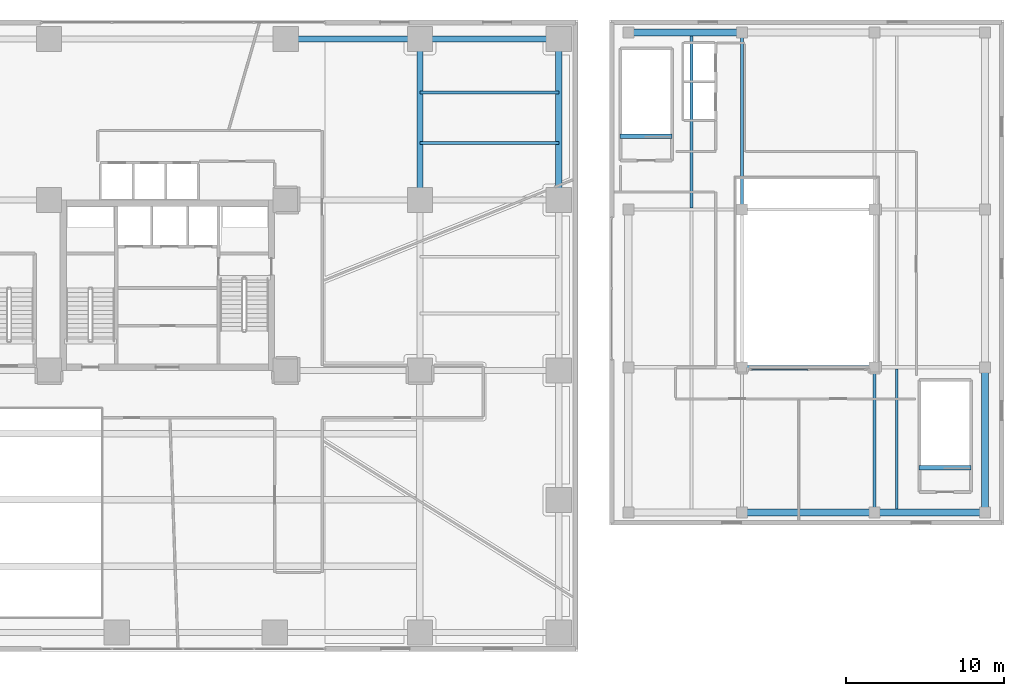
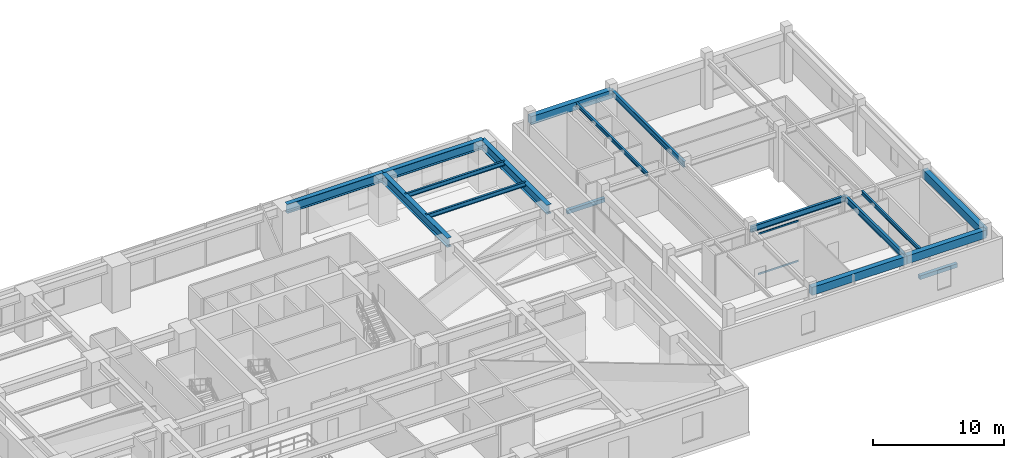
# One storey, part 14 of 25: 17 beams, 2 members, 1 element without a shape of its own.
"""IFC4 building model written with IfcOpenShell, lengths in metres."""

from ifc_helpers import new_model, si_unit, direction, frame, origin, origin_2d, place, context, subcontext, project, spatial, rectangle, hollow_rectangle, i_section, extrude, source, transform, mapped, material, layer, layer_set, material_profile, profile_set, type_object, type_shapes, element, aggregate, save


model = new_model("IFC4")

# Units and contexts
model_context = context("Model", 3, precision=1e-05, world=origin(), true_north=direction((0.0, 1.0)))
body_context = subcontext(model_context, "Body", "Model", "MODEL_VIEW")
ifc_project = project(units=[si_unit("LENGTHUNIT", "METRE"), si_unit("AREAUNIT", "SQUARE_METRE"), si_unit("VOLUMEUNIT", "CUBIC_METRE"), si_unit("PLANEANGLEUNIT", "RADIAN"), si_unit("MASSUNIT", "GRAM", prefix="KILO")], contexts=[model_context])

# Site, building, storey
site_placement = place(None, origin())
site = spatial("IfcSite", under=ifc_project, at=site_placement, CompositionType="ELEMENT")
building_placement = place(site_placement, origin())
building = spatial("IfcBuilding", under=site, at=building_placement, Name="Talar Marvaseh", CompositionType="ELEMENT")
storey_placement = place(building_placement, frame((0.0, 0.0, 14.39990234375)))
storey = spatial("IfcBuildingStorey", under=building, at=storey_placement, Name="L03", CompositionType="ELEMENT", Elevation=14.39990234375)

# Beams
ifc_material_1 = material(Name="Steel S355", Category="steel")
ifc_material_profile_1 = material_profile(ifc_material_1, i_section(OverallWidth=0.39990234375, OverallDepth=0.85498046875, WebThickness=0.018310546875, FlangeThickness=0.029296875, at=origin_2d()), Name="W840x299")
ifc_profile_set_1 = profile_set([ifc_material_profile_1], Name="Steel S355")
beam_type_1 = type_object("IfcBeamType", Name="Concourse Primary Girder W840x299", PredefinedType="BEAM", material=ifc_profile_set_1)
beam_1_placement = place(storey_placement, frame((33.5, 46.800048828125, 3.822509765625), z_axis=(1.0, 0.0, 0.0), x_axis=(0.0, 1.0, 0.0)))
element("IfcBeam", 1, at=beam_1_placement, inside=storey, type_object=beam_type_1, Name="L03 Concourse Primary Girder W840x299", PredefinedType="BEAM", context=body_context, shape_type="SweptSolid", body=[
    extrude(i_section(OverallWidth=0.39990234375, OverallDepth=0.85498046875, WebThickness=0.018310546875, FlangeThickness=0.029296875, at=origin_2d()), origin(), (0.0, 0.0, 1.0), 8.5),
])
beam_2_placement = place(storey_placement, frame((42.0, 46.800048828125, 3.822509765625), z_axis=(1.0, 0.0, 0.0), x_axis=(0.0, 1.0, 0.0)))
element("IfcBeam", 2, at=beam_2_placement, inside=storey, type_object=beam_type_1, Name="L03 Concourse Primary Girder W840x299", PredefinedType="BEAM", context=body_context, shape_type="SweptSolid", body=[
    extrude(i_section(OverallWidth=0.39990234375, OverallDepth=0.85498046875, WebThickness=0.018310546875, FlangeThickness=0.029296875, at=origin_2d()), origin(), (0.0, 0.0, 1.0), 8.800048828125),
])
for number, where, z_axis, x_axis, name in (
    (3, (42.0, 36.60009765625, 3.822509765625), (0.0, 1.0, 0.0), (-1.0, 0.0, 0.0), "L03 Concourse Primary Girder W840x299"),
    (4, (50.800048828125, 36.60009765625, 3.822509765625), (0.0, 1.0, 0.0), (-1.0, 0.0, 0.0), "L03 Concourse Primary Girder W840x299"),
):
    element("IfcBeam", number, at=place(storey_placement, frame(where, z_axis=z_axis, x_axis=x_axis)), inside=storey, type_object=beam_type_1, Name=name, PredefinedType="BEAM", context=body_context, shape_type="SweptSolid", body=[
        extrude(i_section(OverallWidth=0.39990234375, OverallDepth=0.85498046875, WebThickness=0.018310546875, FlangeThickness=0.029296875, at=origin_2d()), origin(), (0.0, 0.0, 1.0), 10.199951171875),
    ])
ifc_material_2 = material(Name="Concrete C40/50", Category="concrete")
ifc_material_profile_2 = material_profile(ifc_material_2, rectangle(XDim=0.300048828125, YDim=0.360107421875, at=origin_2d()), Name="RC300x360")
ifc_profile_set_2 = profile_set([ifc_material_profile_2], Name="Concrete C40/50")
beam_type_2 = type_object("IfcBeamType", Name="Concrete Stair Landing Trimmer Beam RC300x360", PredefinedType="SPANDREL", material=ifc_profile_set_2)
beam_3_placement = place(storey_placement, frame((57.97998046875, 40.6298828125, -0.179931640625), z_axis=(-1.0, 0.0, 0.0), x_axis=(0.0, -1.0, 0.0)))
element("IfcBeam", 5, at=beam_3_placement, inside=storey, type_object=beam_type_2, Name="L03 MH-ST1 Stair Nosing Trimmer Beam", PredefinedType="SPANDREL", context=body_context, shape_type="SweptSolid", body=[
    extrude(rectangle(XDim=0.300048828125, YDim=0.360107421875, at=origin_2d()), origin(), (0.0, 0.0, 1.0), 3.300048828125),
])
beam_4_placement = place(storey_placement, frame((76.919921875, 19.6298828125, -0.179931640625), z_axis=(-1.0, 0.0, 0.0), x_axis=(0.0, -1.0, 0.0)))
element("IfcBeam", 6, at=beam_4_placement, inside=storey, type_object=beam_type_2, Name="L03 MH-ST2 Stair Nosing Trimmer Beam", PredefinedType="SPANDREL", context=body_context, shape_type="SweptSolid", body=[
    extrude(rectangle(XDim=0.300048828125, YDim=0.360107421875, at=origin_2d()), origin(), (0.0, 0.0, 1.0), 3.2998046875),
])
ifc_material_profile_3 = material_profile(ifc_material_2, rectangle(XDim=0.449951171875, YDim=0.75, at=origin_2d()), Name="RC450x750")
ifc_profile_set_3 = profile_set([ifc_material_profile_3], Name="Concrete C40/50")
beam_type_3 = type_object("IfcBeamType", Name="Market Concrete Edge Beam RC450x750", PredefinedType="SPANDREL", material=ifc_profile_set_3)
beam_5_placement = place(storey_placement, frame((62.39990234375, 16.800048828125, 4.22509765625), z_axis=(1.0, 0.0, 0.0), x_axis=(0.0, 1.0, 0.0)))
element("IfcBeam", 7, at=beam_5_placement, inside=storey, type_object=beam_type_3, Name="L03 Market Concrete Edge Beam RC450x750", PredefinedType="SPANDREL", context=body_context, shape_type="SweptSolid", body=[
    extrude(rectangle(XDim=0.449951171875, YDim=0.75, at=origin_2d()), origin(), (0.0, 0.0, 1.0), 8.400146484375),
])
beam_6_placement = place(storey_placement, frame((70.800048828125, 16.800048828125, 4.22509765625), z_axis=(1.0, 0.0, 0.0), x_axis=(0.0, 1.0, 0.0)))
element("IfcBeam", 8, at=beam_6_placement, inside=storey, type_object=beam_type_3, Name="L03 Market Concrete Edge Beam RC450x750", PredefinedType="SPANDREL", context=body_context, shape_type="SweptSolid", body=[
    extrude(rectangle(XDim=0.449951171875, YDim=0.75, at=origin_2d()), origin(), (0.0, 0.0, 1.0), 7.0),
])
beam_7_placement = place(storey_placement, frame((55.199951171875, 47.199951171875, 4.22509765625), z_axis=(1.0, 0.0, 0.0), x_axis=(0.0, 1.0, 0.0)))
element("IfcBeam", 9, at=beam_7_placement, inside=storey, type_object=beam_type_3, Name="L03 Market Concrete Edge Beam RC450x750", PredefinedType="SPANDREL", context=body_context, shape_type="SweptSolid", body=[
    extrude(rectangle(XDim=0.449951171875, YDim=0.75, at=origin_2d()), origin(), (0.0, 0.0, 1.0), 7.199951171875),
])
beam_8_placement = place(storey_placement, frame((77.800048828125, 16.800048828125, 4.22509765625), z_axis=(0.0, 1.0, 0.0), x_axis=(-1.0, 0.0, 0.0)))
element("IfcBeam", 10, at=beam_8_placement, inside=storey, type_object=beam_type_3, Name="L03 Market Concrete Edge Beam RC450x750", PredefinedType="SPANDREL", context=body_context, shape_type="SweptSolid", body=[
    extrude(rectangle(XDim=0.449951171875, YDim=0.75, at=origin_2d()), origin(), (0.0, 0.0, 1.0), 9.199951171875),
])
ifc_material_profile_4 = material_profile(ifc_material_1, i_section(OverallWidth=0.2119140625, OverallDepth=0.5439453125, WebThickness=0.01318359375, FlangeThickness=0.021240234375, at=origin_2d()), Name="W530x123")
ifc_profile_set_4 = profile_set([ifc_material_profile_4], Name="Steel S355")
beam_type_4 = type_object("IfcBeamType", Name="Market Hall Primary Girder W530x123", PredefinedType="BEAM", material=ifc_profile_set_4)
beam_9_placement = place(storey_placement, frame((62.39990234375, 26.0, 4.328125), z_axis=(1.0, 0.0, 0.0), x_axis=(0.0, 1.0, 0.0)))
element("IfcBeam", 11, at=beam_9_placement, inside=storey, type_object=beam_type_4, Name="L03 Market Hall Primary Girder W530x123", PredefinedType="BEAM", context=body_context, shape_type="SweptSolid", body=[
    extrude(i_section(OverallWidth=0.2119140625, OverallDepth=0.5439453125, WebThickness=0.01318359375, FlangeThickness=0.021240234375, at=origin_2d()), origin(), (0.0, 0.0, 1.0), 8.400146484375),
])
beam_10_placement = place(storey_placement, frame((62.39990234375, 36.0, 4.328125), z_axis=(0.0, 1.0, 0.0), x_axis=(-1.0, 0.0, 0.0)))
element("IfcBeam", 12, at=beam_10_placement, inside=storey, type_object=beam_type_4, Name="L03 Market Hall Primary Girder W530x123", PredefinedType="BEAM", context=body_context, shape_type="SweptSolid", body=[
    extrude(i_section(OverallWidth=0.2119140625, OverallDepth=0.5439453125, WebThickness=0.01318359375, FlangeThickness=0.021240234375, at=origin_2d()), origin(), (0.0, 0.0, 1.0), 11.199951171875),
])
beam_11_placement = place(storey_placement, frame((70.800048828125, 16.800048828125, 4.328125), z_axis=(0.0, 1.0, 0.0), x_axis=(-1.0, 0.0, 0.0)))
element("IfcBeam", 13, at=beam_11_placement, inside=storey, type_object=beam_type_4, Name="L03 Market Hall Primary Girder W530x123", PredefinedType="BEAM", context=body_context, shape_type="SweptSolid", body=[
    extrude(i_section(OverallWidth=0.2119140625, OverallDepth=0.5439453125, WebThickness=0.01318359375, FlangeThickness=0.021240234375, at=origin_2d()), origin(), (0.0, 0.0, 1.0), 9.199951171875),
])
ifc_material_profile_5 = material_profile(ifc_material_1, i_section(OverallWidth=0.179931640625, OverallDepth=0.4130859375, WebThickness=0.009765625, FlangeThickness=0.01611328125, at=origin_2d()), Name="W410x75")
ifc_profile_set_5 = profile_set([ifc_material_profile_5], Name="Steel S355")
beam_type_5 = type_object("IfcBeamType", Name="Zone 1 Secondary Floor Joist W410x75", PredefinedType="JOIST", material=ifc_profile_set_5)
for number, where, z_axis, x_axis, name in (
    (14, (42.0, 40.199951171875, 4.043701171875), (1.0, 0.0, 0.0), (0.0, 1.0, 0.0), "L03 Zone 1 Secondary Floor Joist W410x75"),
    (15, (42.0, 43.39990234375, 4.043701171875), (1.0, 0.0, 0.0), (0.0, 1.0, 0.0), "L03 Zone 1 Secondary Floor Joist W410x75"),
):
    element("IfcBeam", number, at=place(storey_placement, frame(where, z_axis=z_axis, x_axis=x_axis)), inside=storey, type_object=beam_type_5, Name=name, PredefinedType="JOIST", context=body_context, shape_type="SweptSolid", body=[
        extrude(i_section(OverallWidth=0.179931640625, OverallDepth=0.4130859375, WebThickness=0.009765625, FlangeThickness=0.01611328125, at=origin_2d()), origin(), (0.0, 0.0, 1.0), 8.800048828125),
    ])
ifc_material_profile_6 = material_profile(ifc_material_1, i_section(OverallWidth=0.172119140625, OverallDepth=0.35791015625, WebThickness=0.0078125, FlangeThickness=0.01318359375, at=origin_2d()), Name="W360x57")
ifc_profile_set_6 = profile_set([ifc_material_profile_6], Name="Steel S355")
beam_type_6 = type_object("IfcBeamType", Name="Zone 2 Secondary Floor Joist W360x57", PredefinedType="JOIST", material=ifc_profile_set_6)
beam_12_placement = place(storey_placement, frame((59.199951171875, 36.10498046875, 4.421142578125), z_axis=(0.0, 1.0, 0.0), x_axis=(-1.0, 0.0, 0.0)))
element("IfcBeam", 16, at=beam_12_placement, inside=storey, type_object=beam_type_6, Name="L03 Zone 2 Secondary Floor Joist W360x57", PredefinedType="JOIST", context=body_context, shape_type="SweptSolid", body=[
    extrude(i_section(OverallWidth=0.172119140625, OverallDepth=0.35791015625, WebThickness=0.0078125, FlangeThickness=0.01318359375, at=origin_2d()), origin(), (0.0, 0.0, 1.0), 10.875),
])
beam_13_placement = place(storey_placement, frame((72.199951171875, 17.02001953125, 4.421142578125), z_axis=(0.0, 1.0, 0.0), x_axis=(-1.0, 0.0, 0.0)))
element("IfcBeam", 17, at=beam_13_placement, inside=storey, type_object=beam_type_6, Name="L03 Zone 2 Secondary Floor Joist W360x57", PredefinedType="JOIST", context=body_context, shape_type="SweptSolid", body=[
    extrude(i_section(OverallWidth=0.172119140625, OverallDepth=0.35791015625, WebThickness=0.0078125, FlangeThickness=0.01318359375, at=origin_2d()), origin(), (0.0, 0.0, 1.0), 8.875),
])

# Curtain wall, members
ifc_material_3 = material(Name="Architectural Aluminium", Category="aluminium")
ifc_layer = layer(ifc_material_3, 0.169921875)
ifc_layer_set = layer_set([ifc_layer], Name="Architectural Aluminium")
curtain_wall_type = type_object("IfcCurtainWallType", Name="Market Hall Clerestory and Courtyard Curtain Wall", PredefinedType="NOTDEFINED", material=ifc_layer_set)
curtain_wall_placement = place(storey_placement, origin())
curtain_wall = element("IfcCurtainWall", 18, at=curtain_wall_placement, inside=storey, type_object=curtain_wall_type, Name="L03 Market Hall Clerestory and Courtyard Curtain Wall", PredefinedType="NOTDEFINED")
ifc_material_profile_7 = material_profile(ifc_material_3, hollow_rectangle(XDim=0.06494140625, YDim=0.14990234375, WallThickness=0.00390625, at=origin_2d()), Name="RHS150x65x4")
ifc_profile_set_7 = profile_set([ifc_material_profile_7], Name="Architectural Aluminium")
member_type = type_object("IfcMemberType", Name="Unitised Curtain Wall Slim Transom RHS150x65x4", PredefinedType="USERDEFINED", material=ifc_profile_set_7)
shared_shape = source(origin(), body_context, "Body", "SweptSolid", [
    extrude(hollow_rectangle(XDim=0.06494140625, YDim=0.14990234375, WallThickness=0.00390625, at=origin_2d()), origin(), (0.0, 0.0, 1.0), 3.552490234375),
])
type_shapes(member_type, [shared_shape])
member_1_placement = place(storey_placement, frame((63.014892578125, 25.85009765625, 0.03271484375), z_axis=(1.0, 0.0, 0.0), x_axis=(0.0, 1.0, 0.0)))
member_1 = element("IfcMember", 19, at=member_1_placement, type_object=member_type, Name="CW-MKT transom 1.1", ObjectType="TRANSOM", PredefinedType="USERDEFINED", context=body_context, shape_type="MappedRepresentation", body=[
    mapped(shared_shape, transform((0.0, 0.0, 0.0), x_axis=(1.0, 0.0, 0.0), y_axis=(0.0, 1.0, 0.0), z_axis=(0.0, 0.0, 1.0), scale=1.0)),
])
member_2_placement = place(storey_placement, frame((63.014892578125, 25.85009765625, 3.767578125), z_axis=(1.0, 0.0, 0.0), x_axis=(0.0, 1.0, 0.0)))
member_2 = element("IfcMember", 20, at=member_2_placement, type_object=member_type, Name="CW-MKT transom 1.2", ObjectType="TRANSOM", PredefinedType="USERDEFINED", context=body_context, shape_type="MappedRepresentation", body=[
    mapped(shared_shape, transform((0.0, 0.0, 0.0), x_axis=(1.0, 0.0, 0.0), y_axis=(0.0, 1.0, 0.0), z_axis=(0.0, 0.0, 1.0), scale=1.0)),
])
aggregate(curtain_wall, [member_1, member_2])

save(model, "model.ifc")
